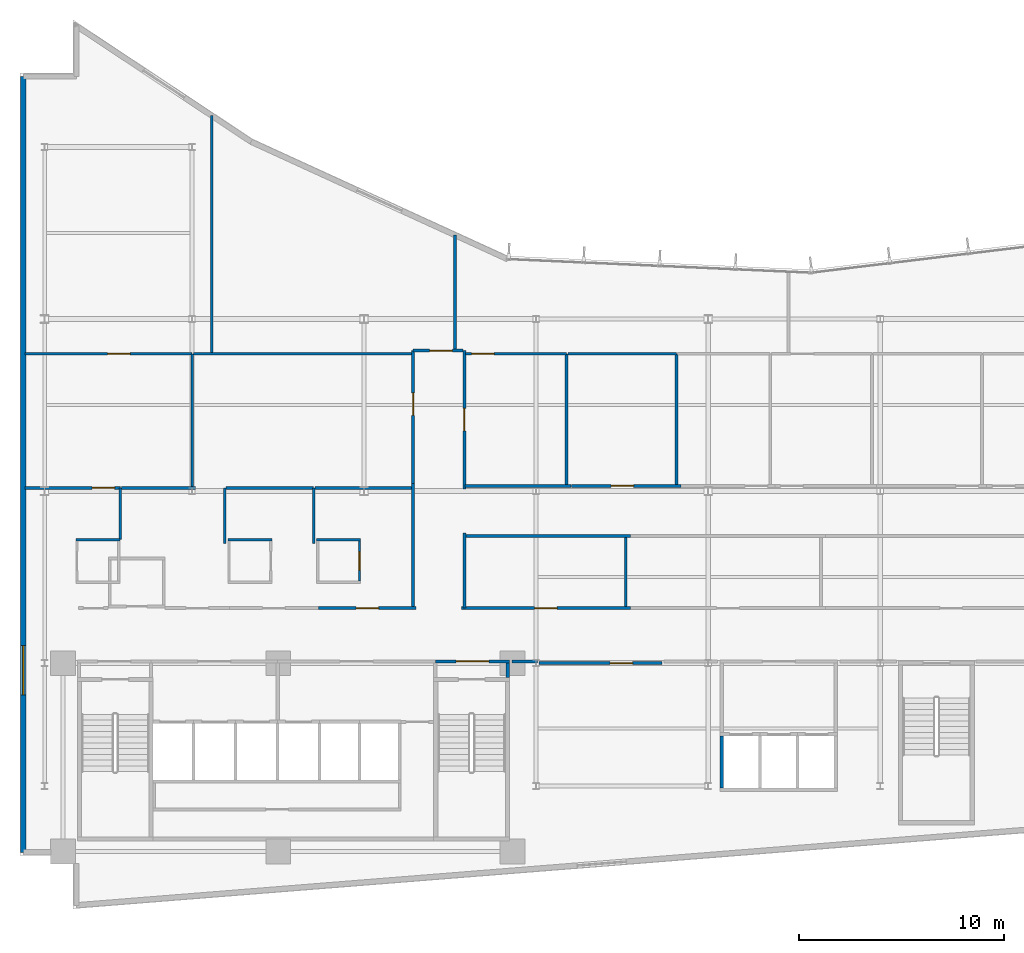
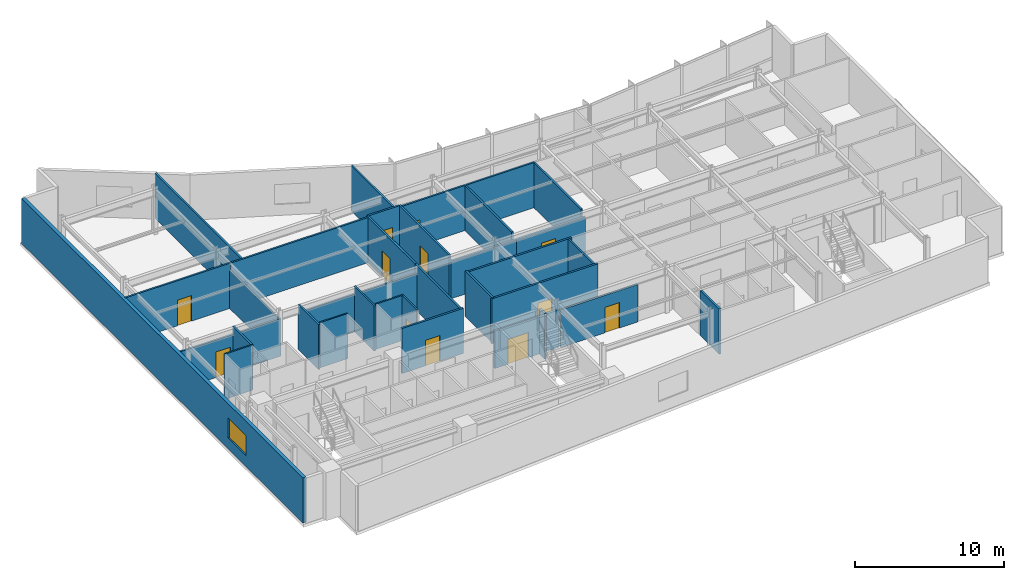
# One storey, part 11 of 18: 37 walls, 12 doors, 1 window, 13 openings.
"""IFC4 building model written with IfcOpenShell, lengths in metres."""

from ifc_helpers import new_model, si_unit, direction, frame, frame_2d, origin, place, context, subcontext, project, spatial, rectangle, extrude, material, layer, layer_set, type_object, element, fill, save


model = new_model("IFC4")

# Units and contexts
model_context = context("Model", 3, precision=1e-05, world=origin(), true_north=direction((0.0, 1.0)))
body_context = subcontext(model_context, "Body", "Model", "MODEL_VIEW")
ifc_project = project(units=[si_unit("LENGTHUNIT", "METRE"), si_unit("AREAUNIT", "SQUARE_METRE"), si_unit("VOLUMEUNIT", "CUBIC_METRE"), si_unit("PLANEANGLEUNIT", "RADIAN"), si_unit("MASSUNIT", "GRAM", prefix="KILO")], contexts=[model_context])

# Site, building, storey
site_placement = place(None, origin())
site = spatial("IfcSite", under=ifc_project, at=site_placement, CompositionType="ELEMENT")
building_placement = place(site_placement, origin())
building = spatial("IfcBuilding", under=site, at=building_placement, Name="Varnakote Quay Hospital", CompositionType="ELEMENT")
storey_placement = place(building_placement, frame((0.0, 0.0, 154.699951171875)))
storey = spatial("IfcBuildingStorey", under=building, at=storey_placement, Name="L38", CompositionType="ELEMENT", Elevation=154.699951171875)

# Wall, opening, door
ifc_material_1 = material(Name="Fire-rated acoustic gypsum stud wall", Category="gypsum")
ifc_layer_1 = layer(ifc_material_1, 0.159912109375)
ifc_layer_set_1 = layer_set([ifc_layer_1], Name="Fire-rated acoustic gypsum stud wall")
wall_type_1 = type_object("IfcWallType", Name="WL-COMP-160", PredefinedType="PARTITIONING", material=ifc_layer_set_1)
wall_1_placement = place(storey_placement, frame((20.280029296875, 12.080078125, 0.0), z_axis=(0.0, 0.0, 1.0), x_axis=(1.0, 0.0, 0.0)))
wall_1 = element("IfcWall", 1, at=wall_1_placement, inside=storey, type_object=wall_type_1, Name="L38 East Stair Vestibule Smoke Wall", PredefinedType="PARTITIONING", context=body_context, shape_type="SweptSolid", body=[
    extrude(rectangle(XDim=3.619873046875, YDim=0.159912109375, at=frame_2d((1.81005859375, 0.0))), origin(), (0.0, 0.0, 1.0), 3.0830078125),
])
opening_1_placement = place(wall_1_placement, frame((1.010009765625, 0.0, 0.0)))
opening_1 = element("IfcOpeningElement", 2, at=opening_1_placement, cuts=wall_1, Name="Opening D-ST2L-L38", PredefinedType="OPENING", context=body_context, shape_type="SweptSolid", body=[
    extrude(rectangle(XDim=1.60009765625, YDim=2.050048828125, at=frame_2d((0.800048828125, 1.02490234375))), frame((0.0, 0.08984375, 0.0), z_axis=(0.0, -1.0, 0.0), x_axis=(1.0, 0.0, 0.0)), (0.0, 0.0, 1.0), 0.179931640625),
])
ifc_material_2 = material(Name="Fire-rated double smoke lobby door")
door_type_1 = type_object("IfcDoorType", Name="DR-LOBBY-FD60S-1600x2150", OperationType="NOTDEFINED", PredefinedType="DOOR", material=ifc_material_2)
door_1_placement = place(opening_1_placement, origin())
door_1 = element("IfcDoor", 3, at=door_1_placement, inside=storey, type_object=door_type_1, Name="L38 East Stair Vestibule Smoke Door", OperationType="DOUBLE_DOOR_SINGLE_SWING", OverallHeight=2.050048828125, OverallWidth=1.60009765625, PredefinedType="DOOR", context=body_context, shape_type="SweptSolid", body=[
    extrude(rectangle(XDim=1.60009765625, YDim=2.050048828125, at=frame_2d((0.800048828125, 1.02490234375))), frame((0.0, 0.02490234375, 0.0), z_axis=(0.0, -1.0, 0.0), x_axis=(1.0, 0.0, 0.0)), (0.0, 0.0, 1.0), 0.050048828125),
])
fill(opening_1, door_1)

# Walls
wall_2_placement = place(storey_placement, frame((23.820068359375, 11.300048828125, 0.0), z_axis=(0.0, 0.0, 1.0), x_axis=(0.0, 1.0, 0.0)))
element("IfcWall", 4, at=wall_2_placement, inside=storey, type_object=wall_type_1, Name="L38 East Stair Vestibule East Wall", PredefinedType="PARTITIONING", context=body_context, shape_type="SweptSolid", body=[
    extrude(rectangle(XDim=0.699951171875, YDim=0.159912109375, at=frame_2d((0.35009765625, 0.0))), origin(), (0.0, 0.0, 1.0), 3.7099609375),
])
wall_3_placement = place(storey_placement, frame((24.02001953125, 12.080078125, 0.0), z_axis=(0.0, 0.0, 1.0), x_axis=(1.0, 0.0, 0.0)))
element("IfcWall", 5, at=wall_3_placement, inside=storey, type_object=wall_type_1, Name="L38 Corridor South Gap Wall", PredefinedType="PARTITIONING", context=body_context, shape_type="SweptSolid", body=[
    extrude(rectangle(XDim=1.244140625, YDim=0.159912109375, at=frame_2d((0.6220703125, 0.0))), origin(), (0.0, 0.0, 1.0), 3.0830078125),
])
ifc_material_3 = material(Name="Moisture-resistant bathroom partition", Category="gypsum")
ifc_layer_2 = layer(ifc_material_3, 0.114990234375)
ifc_layer_set_2 = layer_set([ifc_layer_2], Name="Moisture-resistant bathroom partition")
wall_type_2 = type_object("IfcWallType", Name="WL-ENS-115", PredefinedType="PARTITIONING", material=ifc_layer_set_2)
for number, where, z_axis, x_axis, name in (
    (6, (2.72509765625, 18.017578125, 0.0), (0.0, 0.0, 1.0), (1.0, 0.0, 0.0), "L38 Inpatient En-Suite Bathroom 01 N Wall"),
    (7, (10.14501953125, 18.017578125, 0.0), (0.0, 0.0, 1.0), (1.0, 0.0, 0.0), "L38 Inpatient En-Suite Bathroom 02 N Wall"),
    (8, (14.485107421875, 18.017578125, 0.0), (0.0, 0.0, 1.0), (1.0, 0.0, 0.0), "L38 Inpatient En-Suite Bathroom 03 N Wall"),
):
    element("IfcWall", number, at=place(storey_placement, frame(where, z_axis=z_axis, x_axis=x_axis)), inside=storey, type_object=wall_type_2, Name=name, PredefinedType="PARTITIONING", context=body_context, shape_type="SweptSolid", body=[
        extrude(rectangle(XDim=2.14990234375, YDim=0.114990234375, at=frame_2d((1.074951171875, 0.0))), origin(), (0.0, 0.0, 1.0), 3.7099609375),
    ])

# Wall, opening, door
wall_4_placement = place(storey_placement, frame((16.577392578125, 16.010009765625, 0.0), z_axis=(0.0, 0.0, 1.0), x_axis=(0.0, 1.0, 0.0)))
wall_4 = element("IfcWall", 9, at=wall_4_placement, inside=storey, type_object=wall_type_2, Name="L38 Inpatient En-Suite Bathroom 03 E Wall", PredefinedType="PARTITIONING", context=body_context, shape_type="SweptSolid", body=[
    extrude(rectangle(XDim=1.949951171875, YDim=0.114990234375, at=frame_2d((0.97509765625, 0.0))), origin(), (0.0, 0.0, 1.0), 3.7099609375),
])
opening_2_placement = place(wall_4_placement, frame((0.514892578125, 0.0, 0.0)))
opening_2 = element("IfcOpeningElement", 10, at=opening_2_placement, cuts=wall_4, Name="Opening D-L38-ENS03", PredefinedType="OPENING", context=body_context, shape_type="SweptSolid", body=[
    extrude(rectangle(XDim=0.919921875, YDim=2.10009765625, at=frame_2d((0.4599609375, 1.050048828125))), frame((0.0, 0.0673828125, 0.0), z_axis=(0.0, -1.0, 0.0), x_axis=(1.0, 0.0, 0.0)), (0.0, 0.0, 1.0), 0.135009765625),
])
ifc_material_4 = material(Name="Moisture-sealed en-suite bathroom door")
door_type_2 = type_object("IfcDoorType", Name="DR-ENS-920x2100", OperationType="NOTDEFINED", PredefinedType="DOOR", material=ifc_material_4)
door_2_placement = place(opening_2_placement, origin())
door_2 = element("IfcDoor", 11, at=door_2_placement, inside=storey, type_object=door_type_2, Name="L38 Inpatient En-Suite Bathroom 03 Door", OperationType="SINGLE_SWING_RIGHT", OverallHeight=2.10009765625, OverallWidth=0.919921875, PredefinedType="DOOR", context=body_context, shape_type="SweptSolid", body=[
    extrude(rectangle(XDim=0.919921875, YDim=2.10009765625, at=frame_2d((0.4599609375, 1.050048828125))), frame((0.0, 0.02490234375, 0.0), z_axis=(0.0, -1.0, 0.0), x_axis=(1.0, 0.0, 0.0)), (0.0, 0.0, 1.0), 0.050048828125),
])
fill(opening_2, door_2)

# Wall, opening, window
ifc_material_5 = material(Name="Precast concrete N50 (f'c 50 MPa)", Category="concrete")
ifc_layer_3 = layer(ifc_material_5, 0.260009765625)
ifc_layer_set_3 = layer_set([ifc_layer_3], Name="Precast concrete N50 (f'c 50 MPa)")
wall_type_3 = type_object("IfcWallType", Name="WL-EXT-BRICK-260", PredefinedType="STANDARD", material=ifc_layer_set_3)
wall_5_placement = place(storey_placement, frame((0.159912109375, 40.639892578125, 0.0), z_axis=(0.0, 0.0, 1.0), x_axis=(0.0, -1.0, 0.0)))
wall_5 = element("IfcWall", 12, at=wall_5_placement, inside=storey, type_object=wall_type_3, Name="L38 Brick-Faced Precast Exterior Wall", PredefinedType="STANDARD", context=body_context, shape_type="SweptSolid", body=[
    extrude(rectangle(XDim=37.8798828125, YDim=0.260009765625, at=frame_2d((18.93994140625, 0.0))), origin(), (0.0, 0.0, 1.0), 3.7099609375),
])
opening_3_placement = place(wall_5_placement, frame((27.794921875, 0.0, 0.89990234375)))
opening_3 = element("IfcOpeningElement", 13, at=opening_3_placement, cuts=wall_5, Name="Opening WN-0165", PredefinedType="OPENING", context=body_context, shape_type="SweptSolid", body=[
    extrude(rectangle(XDim=2.39990234375, YDim=1.64990234375, at=frame_2d((1.199951171875, 0.824951171875))), frame((0.0, 0.139892578125, 0.0), z_axis=(0.0, -1.0, 0.0), x_axis=(1.0, 0.0, 0.0)), (0.0, 0.0, 1.0), 0.280029296875),
])
ifc_material_6 = material(Name="Double-glazed low-E solar glass", Category="glass")
window_type = type_object("IfcWindowType", Name="WIN-CLIN-2400x1650", PartitioningType="SINGLE_PANEL", PredefinedType="WINDOW", material=ifc_material_6)
window_placement = place(opening_3_placement, origin())
window = element("IfcWindow", 14, at=window_placement, inside=storey, type_object=window_type, Name="L38 Solar-Control Clinical Window", OverallHeight=1.64990234375, OverallWidth=2.39990234375, PartitioningType="SINGLE_PANEL", PredefinedType="WINDOW", context=body_context, shape_type="SweptSolid", body=[
    extrude(rectangle(XDim=2.39990234375, YDim=1.64990234375, at=frame_2d((1.199951171875, 0.824951171875))), frame((0.0, 0.030029296875, 0.0), z_axis=(0.0, -1.0, 0.0), x_axis=(1.0, 0.0, 0.0)), (0.0, 0.0, 1.0), 0.06005859375),
])
fill(opening_3, window)

# Walls
ifc_material_7 = material(Name="Concrete N50 (f'c 50 MPa)", Category="concrete")
ifc_layer_4 = layer(ifc_material_7, 0.159912109375)
ifc_layer_set_4 = layer_set([ifc_layer_4], Name="Concrete N50 (f'c 50 MPa)")
wall_type_4 = type_object("IfcWallType", Name="WL-SHAFT-N50-160", PredefinedType="SHEAR", material=ifc_layer_set_4)
wall_6_placement = place(storey_placement, frame((34.27001953125, 5.89990234375, 0.0), z_axis=(0.0, 0.0, 1.0), x_axis=(0.0, 1.0, 0.0)))
element("IfcWall", 15, at=wall_6_placement, inside=storey, type_object=wall_type_4, Name="L38 MID Lift Bank West Shear Wall", PredefinedType="SHEAR", context=body_context, shape_type="SweptSolid", body=[
    extrude(rectangle(XDim=2.550048828125, YDim=0.159912109375, at=frame_2d((1.27490234375, 0.0))), origin(), (0.0, 0.0, 1.0), 3.7099609375),
])
ifc_material_8 = material(Name="Smoke-proof clinical partition", Category="gypsum")
ifc_layer_5 = layer(ifc_material_8, 0.135009765625)
ifc_layer_set_5 = layer_set([ifc_layer_5], Name="Smoke-proof clinical partition")
wall_type_5 = type_object("IfcWallType", Name="WL-SMOKE-135", PredefinedType="PARTITIONING", material=ifc_layer_set_5)
wall_7_placement = place(storey_placement, frame((4.89990234375, 18.0400390625, 0.0), z_axis=(0.0, 0.0, 1.0), x_axis=(0.0, 1.0, 0.0)))
element("IfcWall", 16, at=wall_7_placement, inside=storey, type_object=wall_type_5, Name="L38 Clinical Interior Partition", PredefinedType="PARTITIONING", context=body_context, shape_type="SweptSolid", body=[
    extrude(rectangle(XDim=2.510009765625, YDim=0.135009765625, at=frame_2d((1.2548828125, 0.0))), origin(), (0.0, 0.0, 1.0), 3.7099609375),
])

# Wall, opening, door
wall_8_placement = place(storey_placement, frame((4.89990234375, 20.550048828125, 0.0), z_axis=(0.0, 0.0, 1.0), x_axis=(-1.0, 0.0, 0.0)))
wall_8 = element("IfcWall", 17, at=wall_8_placement, inside=storey, type_object=wall_type_5, Name="L38 Clinical Interior Partition", PredefinedType="PARTITIONING", context=body_context, shape_type="SweptSolid", body=[
    extrude(rectangle(XDim=4.659912109375, YDim=0.135009765625, at=frame_2d((2.330078125, 0.0))), origin(), (0.0, 0.0, 1.0), 3.0830078125),
])
opening_4_placement = place(wall_8_placement, frame((0.279052734375, 0.0, 0.0)))
opening_4 = element("IfcOpeningElement", 18, at=opening_4_placement, cuts=wall_8, Name="Opening D-L38-MD06", PredefinedType="OPENING", context=body_context, shape_type="SweptSolid", body=[
    extrude(rectangle(XDim=1.10009765625, YDim=2.10009765625, at=frame_2d((0.550048828125, 1.050048828125))), frame((0.0, 0.077392578125, 0.0), z_axis=(0.0, -1.0, 0.0), x_axis=(1.0, 0.0, 0.0)), (0.0, 0.0, 1.0), 0.155029296875),
])
ifc_material_9 = material(Name="Acoustic timber clinical consult door", Category="wood")
door_type_3 = type_object("IfcDoorType", Name="DR-CLIN-FD30S-1100x2100", OperationType="NOTDEFINED", PredefinedType="DOOR", material=ifc_material_9)
door_3_placement = place(opening_4_placement, origin())
door_3 = element("IfcDoor", 19, at=door_3_placement, inside=storey, type_object=door_type_3, Name="L38 Clinical Dietetics Office Door", OperationType="SINGLE_SWING_RIGHT", OverallHeight=2.10009765625, OverallWidth=1.10009765625, PredefinedType="DOOR", context=body_context, shape_type="SweptSolid", body=[
    extrude(rectangle(XDim=1.10009765625, YDim=2.10009765625, at=frame_2d((0.550048828125, 1.050048828125))), frame((0.0, 0.02490234375, 0.0), z_axis=(0.0, -1.0, 0.0), x_axis=(1.0, 0.0, 0.0)), (0.0, 0.0, 1.0), 0.050048828125),
])
fill(opening_4, door_3)

# Walls
wall_9_placement = place(storey_placement, frame((10.0, 17.83251953125, 0.0), z_axis=(0.0, 0.0, 1.0), x_axis=(0.0, 1.0, 0.0)))
element("IfcWall", 20, at=wall_9_placement, inside=storey, type_object=wall_type_5, Name="L38 Clinical Interior Partition", PredefinedType="PARTITIONING", context=body_context, shape_type="SweptSolid", body=[
    extrude(rectangle(XDim=2.717529296875, YDim=0.135009765625, at=frame_2d((1.35888671875, 0.0))), origin(), (0.0, 0.0, 1.0), 3.7099609375),
])
wall_10_placement = place(storey_placement, frame((8.568359375, 20.550048828125, 0.0), z_axis=(0.0, 0.0, 1.0), x_axis=(-1.0, 0.0, 0.0)))
element("IfcWall", 21, at=wall_10_placement, inside=storey, type_object=wall_type_5, Name="L38 Clinical Interior Partition", PredefinedType="PARTITIONING", context=body_context, shape_type="SweptSolid", body=[
    extrude(rectangle(XDim=3.61083984375, YDim=0.135009765625, at=frame_2d((1.805419921875, 0.0))), origin(), (0.0, 0.0, 1.0), 3.0830078125),
])
wall_11_placement = place(storey_placement, frame((14.340087890625, 17.83251953125, 0.0), z_axis=(0.0, 0.0, 1.0), x_axis=(0.0, 1.0, 0.0)))
element("IfcWall", 22, at=wall_11_placement, inside=storey, type_object=wall_type_5, Name="L38 Clinical Interior Partition", PredefinedType="PARTITIONING", context=body_context, shape_type="SweptSolid", body=[
    extrude(rectangle(XDim=2.717529296875, YDim=0.135009765625, at=frame_2d((1.35888671875, 0.0))), origin(), (0.0, 0.0, 1.0), 3.7099609375),
])
wall_12_placement = place(storey_placement, frame((14.340087890625, 20.550048828125, 0.0), z_axis=(0.0, 0.0, 1.0), x_axis=(-1.0, 0.0, 0.0)))
element("IfcWall", 23, at=wall_12_placement, inside=storey, type_object=wall_type_5, Name="L38 Clinical Interior Partition", PredefinedType="PARTITIONING", context=body_context, shape_type="SweptSolid", body=[
    extrude(rectangle(XDim=4.282470703125, YDim=0.135009765625, at=frame_2d((2.14111328125, 0.0))), origin(), (0.0, 0.0, 1.0), 3.0830078125),
])
wall_13_placement = place(storey_placement, frame((19.1201171875, 20.550048828125, 0.0), z_axis=(0.0, 0.0, 1.0), x_axis=(-1.0, 0.0, 0.0)))
element("IfcWall", 24, at=wall_13_placement, inside=storey, type_object=wall_type_5, Name="L38 Clinical Interior Partition", PredefinedType="PARTITIONING", context=body_context, shape_type="SweptSolid", body=[
    extrude(rectangle(XDim=4.72265625, YDim=0.135009765625, at=frame_2d((2.361328125, 0.0))), origin(), (0.0, 0.0, 1.0), 3.0830078125),
])
wall_14_placement = place(storey_placement, frame((29.580078125, 14.760009765625, 0.0), z_axis=(0.0, 0.0, 1.0), x_axis=(0.0, 1.0, 0.0)))
element("IfcWall", 25, at=wall_14_placement, inside=storey, type_object=wall_type_5, Name="L38 Clinical Interior Partition", PredefinedType="PARTITIONING", context=body_context, shape_type="SweptSolid", body=[
    extrude(rectangle(XDim=3.360107421875, YDim=0.135009765625, at=frame_2d((1.68017578125, 0.0))), origin(), (0.0, 0.0, 1.0), 3.7099609375),
])
wall_15_placement = place(storey_placement, frame((8.409912109375, 20.607421875, 0.0), z_axis=(0.0, 0.0, 1.0), x_axis=(0.0, 1.0, 0.0)))
element("IfcWall", 26, at=wall_15_placement, inside=storey, type_object=wall_type_5, Name="L38 Clinical Interior Partition", PredefinedType="PARTITIONING", context=body_context, shape_type="SweptSolid", body=[
    extrude(rectangle(XDim=6.49267578125, YDim=0.135009765625, at=frame_2d((3.246337890625, 0.0))), origin(), (0.0, 0.0, 1.0), 3.152099609375),
])

# Wall, opening, door
wall_16_placement = place(storey_placement, frame((8.409912109375, 27.10009765625, 0.0), z_axis=(0.0, 0.0, 1.0), x_axis=(-1.0, 0.0, 0.0)))
wall_16 = element("IfcWall", 27, at=wall_16_placement, inside=storey, type_object=wall_type_5, Name="L38 Clinical Interior Partition", PredefinedType="PARTITIONING", context=body_context, shape_type="SweptSolid", body=[
    extrude(rectangle(XDim=8.169921875, YDim=0.135009765625, at=frame_2d((4.0849609375, 0.0))), origin(), (0.0, 0.0, 1.0), 3.7099609375),
])
opening_5_placement = place(wall_16_placement, frame((3.034912109375, 0.0, 0.0)))
opening_5 = element("IfcOpeningElement", 28, at=opening_5_placement, cuts=wall_16, Name="Opening D-L38-MD14", PredefinedType="OPENING", context=body_context, shape_type="SweptSolid", body=[
    extrude(rectangle(XDim=1.10009765625, YDim=2.10009765625, at=frame_2d((0.550048828125, 1.050048828125))), frame((0.0, 0.077392578125, 0.0), z_axis=(0.0, -1.0, 0.0), x_axis=(1.0, 0.0, 0.0)), (0.0, 0.0, 1.0), 0.155029296875),
])
door_4_placement = place(opening_5_placement, origin())
door_4 = element("IfcDoor", 29, at=door_4_placement, inside=storey, type_object=door_type_3, Name="L38 Clinical Dietetics Office Door", OperationType="SINGLE_SWING_LEFT", OverallHeight=2.10009765625, OverallWidth=1.10009765625, PredefinedType="DOOR", context=body_context, shape_type="SweptSolid", body=[
    extrude(rectangle(XDim=1.10009765625, YDim=2.10009765625, at=frame_2d((0.550048828125, 1.050048828125))), frame((0.0, 0.02490234375, 0.0), z_axis=(0.0, -1.0, 0.0), x_axis=(1.0, 0.0, 0.0)), (0.0, 0.0, 1.0), 0.050048828125),
])
fill(opening_5, door_4)

# Walls
wall_17_placement = place(storey_placement, frame((19.1201171875, 27.10009765625, 0.0), z_axis=(0.0, 0.0, 1.0), x_axis=(-1.0, 0.0, 0.0)))
element("IfcWall", 30, at=wall_17_placement, inside=storey, type_object=wall_type_5, Name="L38 Clinical Interior Partition", PredefinedType="PARTITIONING", context=body_context, shape_type="SweptSolid", body=[
    extrude(rectangle(XDim=10.652587890625, YDim=0.135009765625, at=frame_2d((5.326171875, 0.0))), origin(), (0.0, 0.0, 1.0), 3.7099609375),
])
wall_18_placement = place(storey_placement, frame((26.68994140625, 20.715087890625, 0.0), z_axis=(0.0, 0.0, 1.0), x_axis=(0.0, 1.0, 0.0)))
element("IfcWall", 31, at=wall_18_placement, inside=storey, type_object=wall_type_5, Name="L38 Clinical Interior Partition", PredefinedType="PARTITIONING", context=body_context, shape_type="SweptSolid", body=[
    extrude(rectangle(XDim=6.385009765625, YDim=0.135009765625, at=frame_2d((3.1923828125, 0.0))), origin(), (0.0, 0.0, 1.0), 3.7099609375),
])

# Wall, opening, door
wall_19_placement = place(storey_placement, frame((26.68994140625, 27.10009765625, 0.0), z_axis=(0.0, 0.0, 1.0), x_axis=(-1.0, 0.0, 0.0)))
wall_19 = element("IfcWall", 32, at=wall_19_placement, inside=storey, type_object=wall_type_5, Name="L38 Clinical Interior Partition", PredefinedType="PARTITIONING", context=body_context, shape_type="SweptSolid", body=[
    extrude(rectangle(XDim=4.925048828125, YDim=0.135009765625, at=frame_2d((2.46240234375, 0.0))), origin(), (0.0, 0.0, 1.0), 3.7099609375),
])
opening_6_placement = place(wall_19_placement, frame((3.539306640625, 0.0, 0.0)))
opening_6 = element("IfcOpeningElement", 33, at=opening_6_placement, cuts=wall_19, Name="Opening D-L38-MD16", PredefinedType="OPENING", context=body_context, shape_type="SweptSolid", body=[
    extrude(rectangle(XDim=1.10009765625, YDim=2.10009765625, at=frame_2d((0.550048828125, 1.050048828125))), frame((0.0, 0.077392578125, 0.0), z_axis=(0.0, -1.0, 0.0), x_axis=(1.0, 0.0, 0.0)), (0.0, 0.0, 1.0), 0.155029296875),
])
door_5_placement = place(opening_6_placement, origin())
door_5 = element("IfcDoor", 34, at=door_5_placement, inside=storey, type_object=door_type_3, Name="L38 Nutrition Seminar Teaching Room Door", OperationType="SINGLE_SWING_RIGHT", OverallHeight=2.10009765625, OverallWidth=1.10009765625, PredefinedType="DOOR", context=body_context, shape_type="SweptSolid", body=[
    extrude(rectangle(XDim=1.10009765625, YDim=2.10009765625, at=frame_2d((0.550048828125, 1.050048828125))), frame((0.0, 0.02490234375, 0.0), z_axis=(0.0, -1.0, 0.0), x_axis=(1.0, 0.0, 0.0)), (0.0, 0.0, 1.0), 0.050048828125),
])
fill(opening_6, door_5)

# Walls
wall_20_placement = place(storey_placement, frame((32.06005859375, 20.715087890625, 0.0), z_axis=(0.0, 0.0, 1.0), x_axis=(0.0, 1.0, 0.0)))
element("IfcWall", 35, at=wall_20_placement, inside=storey, type_object=wall_type_5, Name="L38 Clinical Interior Partition", PredefinedType="PARTITIONING", context=body_context, shape_type="SweptSolid", body=[
    extrude(rectangle(XDim=6.385009765625, YDim=0.135009765625, at=frame_2d((3.1923828125, 0.0))), origin(), (0.0, 0.0, 1.0), 3.7099609375),
])
wall_21_placement = place(storey_placement, frame((32.06005859375, 27.10009765625, 0.0), z_axis=(0.0, 0.0, 1.0), x_axis=(-1.0, 0.0, 0.0)))
element("IfcWall", 36, at=wall_21_placement, inside=storey, type_object=wall_type_5, Name="L38 Clinical Interior Partition", PredefinedType="PARTITIONING", context=body_context, shape_type="SweptSolid", body=[
    extrude(rectangle(XDim=5.3125, YDim=0.135009765625, at=frame_2d((2.65625, 0.0))), origin(), (0.0, 0.0, 1.0), 3.7099609375),
])
wall_22_placement = place(storey_placement, frame((9.360107421875, 27.157470703125, 0.0), z_axis=(0.0, 0.0, 1.0), x_axis=(0.0, 1.0, 0.0)))
element("IfcWall", 37, at=wall_22_placement, inside=storey, type_object=wall_type_5, Name="L38 Clinical Interior Partition", PredefinedType="PARTITIONING", context=body_context, shape_type="SweptSolid", body=[
    extrude(rectangle(XDim=11.57177734375, YDim=0.135009765625, at=frame_2d((5.785888671875, 0.0))), origin(), (0.0, 0.0, 1.0), 3.7099609375),
])
wall_23_placement = place(storey_placement, frame((21.239990234375, 27.320068359375, 0.0), z_axis=(0.0, 0.0, 1.0), x_axis=(0.0, 1.0, 0.0)))
element("IfcWall", 38, at=wall_23_placement, inside=storey, type_object=wall_type_5, Name="L38 Clinical Interior Partition", PredefinedType="PARTITIONING", context=body_context, shape_type="SweptSolid", body=[
    extrude(rectangle(XDim=5.575927734375, YDim=0.135009765625, at=frame_2d((2.7880859375, 0.0))), origin(), (0.0, 0.0, 1.0), 3.7099609375),
])

# Wall, opening, door
ifc_material_10 = material(Name="Fire-rated clinical gypsum partition", Category="gypsum")
ifc_layer_6 = layer(ifc_material_10, 0.14990234375)
ifc_layer_set_6 = layer_set([ifc_layer_6], Name="Fire-rated clinical gypsum partition")
wall_type_6 = type_object("IfcWallType", Name="WL-WARD-150", PredefinedType="PARTITIONING", material=ifc_layer_set_6)
wall_24_placement = place(storey_placement, frame((31.35009765625, 12.0, 0.0), z_axis=(0.0, 0.0, 1.0), x_axis=(-1.0, 0.0, 0.0)))
wall_24 = element("IfcWall", 39, at=wall_24_placement, inside=storey, type_object=wall_type_6, Name="L38 Clinical Interior Partition", PredefinedType="PARTITIONING", context=body_context, shape_type="SweptSolid", body=[
    extrude(rectangle(XDim=5.99658203125, YDim=0.14990234375, at=frame_2d((2.998291015625, 0.0))), origin(), (0.0, 0.0, 1.0), 3.0830078125),
])
opening_7_placement = place(wall_24_placement, frame((1.4365234375, 0.0, 0.0)))
opening_7 = element("IfcOpeningElement", 40, at=opening_7_placement, cuts=wall_24, Name="Opening D-L38-RL1", PredefinedType="OPENING", context=body_context, shape_type="SweptSolid", body=[
    extrude(rectangle(XDim=1.10009765625, YDim=2.10009765625, at=frame_2d((0.550048828125, 1.050048828125))), frame((0.0, 0.0849609375, 0.0), z_axis=(0.0, -1.0, 0.0), x_axis=(1.0, 0.0, 0.0)), (0.0, 0.0, 1.0), 0.169921875),
])
door_6_placement = place(opening_7_placement, origin())
door_6 = element("IfcDoor", 41, at=door_6_placement, inside=storey, type_object=door_type_3, Name="L38 Day Infusion Treatment Suite Door", OperationType="SINGLE_SWING_LEFT", OverallHeight=2.10009765625, OverallWidth=1.10009765625, PredefinedType="DOOR", context=body_context, shape_type="SweptSolid", body=[
    extrude(rectangle(XDim=1.10009765625, YDim=2.10009765625, at=frame_2d((0.550048828125, 1.050048828125))), frame((0.0, 0.02490234375, 0.0), z_axis=(0.0, -1.0, 0.0), x_axis=(1.0, 0.0, 0.0)), (0.0, 0.0, 1.0), 0.050048828125),
])
fill(opening_7, door_6)

wall_25_placement = place(storey_placement, frame((19.345947265625, 14.679931640625, 0.0), z_axis=(0.0, 0.0, 1.0), x_axis=(-1.0, 0.0, 0.0)))
wall_25 = element("IfcWall", 42, at=wall_25_placement, inside=storey, type_object=wall_type_6, Name="L38 Clinical Interior Partition", PredefinedType="PARTITIONING", context=body_context, shape_type="SweptSolid", body=[
    extrude(rectangle(XDim=4.77783203125, YDim=0.14990234375, at=frame_2d((2.388916015625, 0.0))), origin(), (0.0, 0.0, 1.0), 3.7099609375),
])
opening_8_placement = place(wall_25_placement, frame((1.839111328125, 0.0, 0.0)))
opening_8 = element("IfcOpeningElement", 43, at=opening_8_placement, cuts=wall_25, Name="Opening D-L38-BR03", PredefinedType="OPENING", context=body_context, shape_type="SweptSolid", body=[
    extrude(rectangle(XDim=1.10009765625, YDim=2.10009765625, at=frame_2d((0.550048828125, 1.050048828125))), frame((0.0, 0.0849609375, 0.0), z_axis=(0.0, -1.0, 0.0), x_axis=(1.0, 0.0, 0.0)), (0.0, 0.0, 1.0), 0.169921875),
])
door_7_placement = place(opening_8_placement, origin())
door_7 = element("IfcDoor", 44, at=door_7_placement, inside=storey, type_object=door_type_3, Name="L38 Inpatient Clinical Treatment Room 03 Door", OperationType="SINGLE_SWING_RIGHT", OverallHeight=2.10009765625, OverallWidth=1.10009765625, PredefinedType="DOOR", context=body_context, shape_type="SweptSolid", body=[
    extrude(rectangle(XDim=1.10009765625, YDim=2.10009765625, at=frame_2d((0.550048828125, 1.050048828125))), frame((0.0, 0.02490234375, 0.0), z_axis=(0.0, -1.0, 0.0), x_axis=(1.0, 0.0, 0.0)), (0.0, 0.0, 1.0), 0.050048828125),
])
fill(opening_8, door_7)

wall_26_placement = place(storey_placement, frame((29.805908203125, 14.679931640625, 0.0), z_axis=(0.0, 0.0, 1.0), x_axis=(-1.0, 0.0, 0.0)))
wall_26 = element("IfcWall", 45, at=wall_26_placement, inside=storey, type_object=wall_type_6, Name="L38 Clinical Interior Partition", PredefinedType="PARTITIONING", context=body_context, shape_type="SweptSolid", body=[
    extrude(rectangle(XDim=8.251953125, YDim=0.14990234375, at=frame_2d((4.1259765625, 0.0))), origin(), (0.0, 0.0, 1.0), 3.7099609375),
])
opening_9_placement = place(wall_26_placement, frame((3.575927734375, 0.0, 0.0)))
opening_9 = element("IfcOpeningElement", 46, at=opening_9_placement, cuts=wall_26, Name="Opening D-L38-MD02", PredefinedType="OPENING", context=body_context, shape_type="SweptSolid", body=[
    extrude(rectangle(XDim=1.10009765625, YDim=2.10009765625, at=frame_2d((0.550048828125, 1.050048828125))), frame((0.0, 0.0849609375, 0.0), z_axis=(0.0, -1.0, 0.0), x_axis=(1.0, 0.0, 0.0)), (0.0, 0.0, 1.0), 0.169921875),
])
door_8_placement = place(opening_9_placement, origin())
door_8 = element("IfcDoor", 47, at=door_8_placement, inside=storey, type_object=door_type_3, Name="L38 Clinical Dietetics Office Door", OperationType="SINGLE_SWING_LEFT", OverallHeight=2.10009765625, OverallWidth=1.10009765625, PredefinedType="DOOR", context=body_context, shape_type="SweptSolid", body=[
    extrude(rectangle(XDim=1.10009765625, YDim=2.10009765625, at=frame_2d((0.550048828125, 1.050048828125))), frame((0.0, 0.02490234375, 0.0), z_axis=(0.0, -1.0, 0.0), x_axis=(1.0, 0.0, 0.0)), (0.0, 0.0, 1.0), 0.050048828125),
])
fill(opening_9, door_8)

# Walls
wall_27_placement = place(storey_placement, frame((19.199951171875, 20.77587890625, 0.0), z_axis=(0.0, 0.0, 1.0), x_axis=(0.0, -1.0, 0.0)))
element("IfcWall", 48, at=wall_27_placement, inside=storey, type_object=wall_type_6, Name="L38 Clinical Interior Partition", PredefinedType="PARTITIONING", context=body_context, shape_type="SweptSolid", body=[
    extrude(rectangle(XDim=6.075927734375, YDim=0.14990234375, at=frame_2d((3.0380859375, 0.0))), origin(), (0.0, 0.0, 1.0), 3.7099609375),
])
wall_28_placement = place(storey_placement, frame((21.699951171875, 14.699951171875, 0.0), z_axis=(0.0, 0.0, 1.0), x_axis=(0.0, 1.0, 0.0)))
element("IfcWall", 49, at=wall_28_placement, inside=storey, type_object=wall_type_6, Name="L38 Clinical Interior Partition", PredefinedType="PARTITIONING", context=body_context, shape_type="SweptSolid", body=[
    extrude(rectangle(XDim=3.64599609375, YDim=0.14990234375, at=frame_2d((1.822998046875, 0.0))), origin(), (0.0, 0.0, 1.0), 3.7099609375),
])

# Wall, opening, door
wall_29_placement = place(storey_placement, frame((19.199951171875, 27.260009765625, 0.0), z_axis=(0.0, 0.0, 1.0), x_axis=(0.0, -1.0, 0.0)))
wall_29 = element("IfcWall", 50, at=wall_29_placement, inside=storey, type_object=wall_type_6, Name="L38 Clinical Interior Partition", PredefinedType="PARTITIONING", context=body_context, shape_type="SweptSolid", body=[
    extrude(rectangle(XDim=6.48193359375, YDim=0.14990234375, at=frame_2d((3.240966796875, 0.0))), origin(), (0.0, 0.0, 1.0), 3.7099609375),
])
opening_10_placement = place(wall_29_placement, frame((2.068359375, 0.0, 0.0)))
opening_10 = element("IfcOpeningElement", 51, at=opening_10_placement, cuts=wall_29, Name="Opening D-L38-MD07", PredefinedType="OPENING", context=body_context, shape_type="SweptSolid", body=[
    extrude(rectangle(XDim=1.10009765625, YDim=2.10009765625, at=frame_2d((0.550048828125, 1.050048828125))), frame((0.0, 0.0849609375, 0.0), z_axis=(0.0, -1.0, 0.0), x_axis=(1.0, 0.0, 0.0)), (0.0, 0.0, 1.0), 0.169921875),
])
door_9_placement = place(opening_10_placement, origin())
door_9 = element("IfcDoor", 52, at=door_9_placement, inside=storey, type_object=door_type_3, Name="L38 Metabolic Rehabilitation Treatment Suite Door", OperationType="SINGLE_SWING_LEFT", OverallHeight=2.10009765625, OverallWidth=1.10009765625, PredefinedType="DOOR", context=body_context, shape_type="SweptSolid", body=[
    extrude(rectangle(XDim=1.10009765625, YDim=2.10009765625, at=frame_2d((0.550048828125, 1.050048828125))), frame((0.0, 0.02490234375, 0.0), z_axis=(0.0, -1.0, 0.0), x_axis=(1.0, 0.0, 0.0)), (0.0, 0.0, 1.0), 0.050048828125),
])
fill(opening_10, door_9)

wall_30_placement = place(storey_placement, frame((21.699951171875, 20.50390625, 0.0), z_axis=(0.0, 0.0, 1.0), x_axis=(0.0, 1.0, 0.0)))
wall_30 = element("IfcWall", 53, at=wall_30_placement, inside=storey, type_object=wall_type_6, Name="L38 Clinical Interior Partition", PredefinedType="PARTITIONING", context=body_context, shape_type="SweptSolid", body=[
    extrude(rectangle(XDim=6.756103515625, YDim=0.14990234375, at=frame_2d((3.3779296875, 0.0))), origin(), (0.0, 0.0, 1.0), 3.7099609375),
])
opening_11_placement = place(wall_30_placement, frame((2.827880859375, 0.0, 0.0)))
opening_11 = element("IfcOpeningElement", 54, at=opening_11_placement, cuts=wall_30, Name="Opening D-L38-MD08", PredefinedType="OPENING", context=body_context, shape_type="SweptSolid", body=[
    extrude(rectangle(XDim=1.10009765625, YDim=2.10009765625, at=frame_2d((0.550048828125, 1.050048828125))), frame((0.0, 0.0849609375, 0.0), z_axis=(0.0, -1.0, 0.0), x_axis=(1.0, 0.0, 0.0)), (0.0, 0.0, 1.0), 0.169921875),
])
door_10_placement = place(opening_11_placement, origin())
door_10 = element("IfcDoor", 55, at=door_10_placement, inside=storey, type_object=door_type_3, Name="L38 Nutrition Seminar Teaching Room Door", OperationType="SINGLE_SWING_RIGHT", OverallHeight=2.10009765625, OverallWidth=1.10009765625, PredefinedType="DOOR", context=body_context, shape_type="SweptSolid", body=[
    extrude(rectangle(XDim=1.10009765625, YDim=2.10009765625, at=frame_2d((0.550048828125, 1.050048828125))), frame((0.0, 0.02490234375, 0.0), z_axis=(0.0, -1.0, 0.0), x_axis=(1.0, 0.0, 0.0)), (0.0, 0.0, 1.0), 0.050048828125),
])
fill(opening_11, door_10)

wall_31_placement = place(storey_placement, frame((21.635009765625, 27.260009765625, 0.0), z_axis=(0.0, 0.0, 1.0), x_axis=(-1.0, 0.0, 0.0)))
wall_31 = element("IfcWall", 56, at=wall_31_placement, inside=storey, type_object=wall_type_6, Name="L38 Clinical Interior Partition", PredefinedType="PARTITIONING", context=body_context, shape_type="SweptSolid", body=[
    extrude(rectangle(XDim=2.43505859375, YDim=0.14990234375, at=frame_2d((1.217529296875, 0.0))), origin(), (0.0, 0.0, 1.0), 3.7099609375),
])
opening_12_placement = place(wall_31_placement, frame((0.52734375, 0.0, 0.0)))
opening_12 = element("IfcOpeningElement", 57, at=opening_12_placement, cuts=wall_31, Name="Opening D-L38-MD15", PredefinedType="OPENING", context=body_context, shape_type="SweptSolid", body=[
    extrude(rectangle(XDim=1.10009765625, YDim=2.10009765625, at=frame_2d((0.550048828125, 1.050048828125))), frame((0.0, 0.0849609375, 0.0), z_axis=(0.0, -1.0, 0.0), x_axis=(1.0, 0.0, 0.0)), (0.0, 0.0, 1.0), 0.169921875),
])
door_11_placement = place(opening_12_placement, origin())
door_11 = element("IfcDoor", 58, at=door_11_placement, inside=storey, type_object=door_type_3, Name="L38 Metabolic Rehabilitation Treatment Suite Door", OperationType="SINGLE_SWING_LEFT", OverallHeight=2.10009765625, OverallWidth=1.10009765625, PredefinedType="DOOR", context=body_context, shape_type="SweptSolid", body=[
    extrude(rectangle(XDim=1.10009765625, YDim=2.10009765625, at=frame_2d((0.550048828125, 1.050048828125))), frame((0.0, 0.02490234375, 0.0), z_axis=(0.0, -1.0, 0.0), x_axis=(1.0, 0.0, 0.0)), (0.0, 0.0, 1.0), 0.050048828125),
])
fill(opening_12, door_11)

# Walls
wall_32_placement = place(storey_placement, frame((21.719970703125, 18.199951171875, 0.0), z_axis=(0.0, 0.0, 1.0), x_axis=(1.0, 0.0, 0.0)))
element("IfcWall", 59, at=wall_32_placement, inside=storey, type_object=wall_type_6, Name="L38 Clinical Interior Partition", PredefinedType="PARTITIONING", context=body_context, shape_type="SweptSolid", body=[
    extrude(rectangle(XDim=8.0859375, YDim=0.14990234375, at=frame_2d((4.04296875, 0.0))), origin(), (0.0, 0.0, 1.0), 3.7099609375),
])
wall_33_placement = place(storey_placement, frame((26.916015625, 20.64990234375, 0.0), z_axis=(0.0, 0.0, 1.0), x_axis=(-1.0, 0.0, 0.0)))
element("IfcWall", 60, at=wall_33_placement, inside=storey, type_object=wall_type_6, Name="L38 Clinical Interior Partition", PredefinedType="PARTITIONING", context=body_context, shape_type="SweptSolid", body=[
    extrude(rectangle(XDim=5.196044921875, YDim=0.14990234375, at=frame_2d((2.59814453125, 0.0))), origin(), (0.0, 0.0, 1.0), 3.0830078125),
])

# Wall, opening, door
wall_34_placement = place(storey_placement, frame((32.285888671875, 20.64990234375, 0.0), z_axis=(0.0, 0.0, 1.0), x_axis=(-1.0, 0.0, 0.0)))
wall_34 = element("IfcWall", 61, at=wall_34_placement, inside=storey, type_object=wall_type_6, Name="L38 Clinical Interior Partition", PredefinedType="PARTITIONING", context=body_context, shape_type="SweptSolid", body=[
    extrude(rectangle(XDim=5.367919921875, YDim=0.14990234375, at=frame_2d((2.68408203125, 0.0))), origin(), (0.0, 0.0, 1.0), 3.0830078125),
])
opening_13_placement = place(wall_34_placement, frame((2.327392578125, 0.0, 0.0)))
opening_13 = element("IfcOpeningElement", 62, at=opening_13_placement, cuts=wall_34, Name="Opening D-L38-MD09", PredefinedType="OPENING", context=body_context, shape_type="SweptSolid", body=[
    extrude(rectangle(XDim=1.10009765625, YDim=2.10009765625, at=frame_2d((0.550048828125, 1.050048828125))), frame((0.0, 0.0849609375, 0.0), z_axis=(0.0, -1.0, 0.0), x_axis=(1.0, 0.0, 0.0)), (0.0, 0.0, 1.0), 0.169921875),
])
door_12_placement = place(opening_13_placement, origin())
door_12 = element("IfcDoor", 63, at=door_12_placement, inside=storey, type_object=door_type_3, Name="L38 Ward Clinical Consultation Office Door", OperationType="SINGLE_SWING_RIGHT", OverallHeight=2.10009765625, OverallWidth=1.10009765625, PredefinedType="DOOR", context=body_context, shape_type="SweptSolid", body=[
    extrude(rectangle(XDim=1.10009765625, YDim=2.10009765625, at=frame_2d((0.550048828125, 1.050048828125))), frame((0.0, 0.02490234375, 0.0), z_axis=(0.0, -1.0, 0.0), x_axis=(1.0, 0.0, 0.0)), (0.0, 0.0, 1.0), 0.050048828125),
])
fill(opening_13, door_12)

save(model, "model.ifc")
